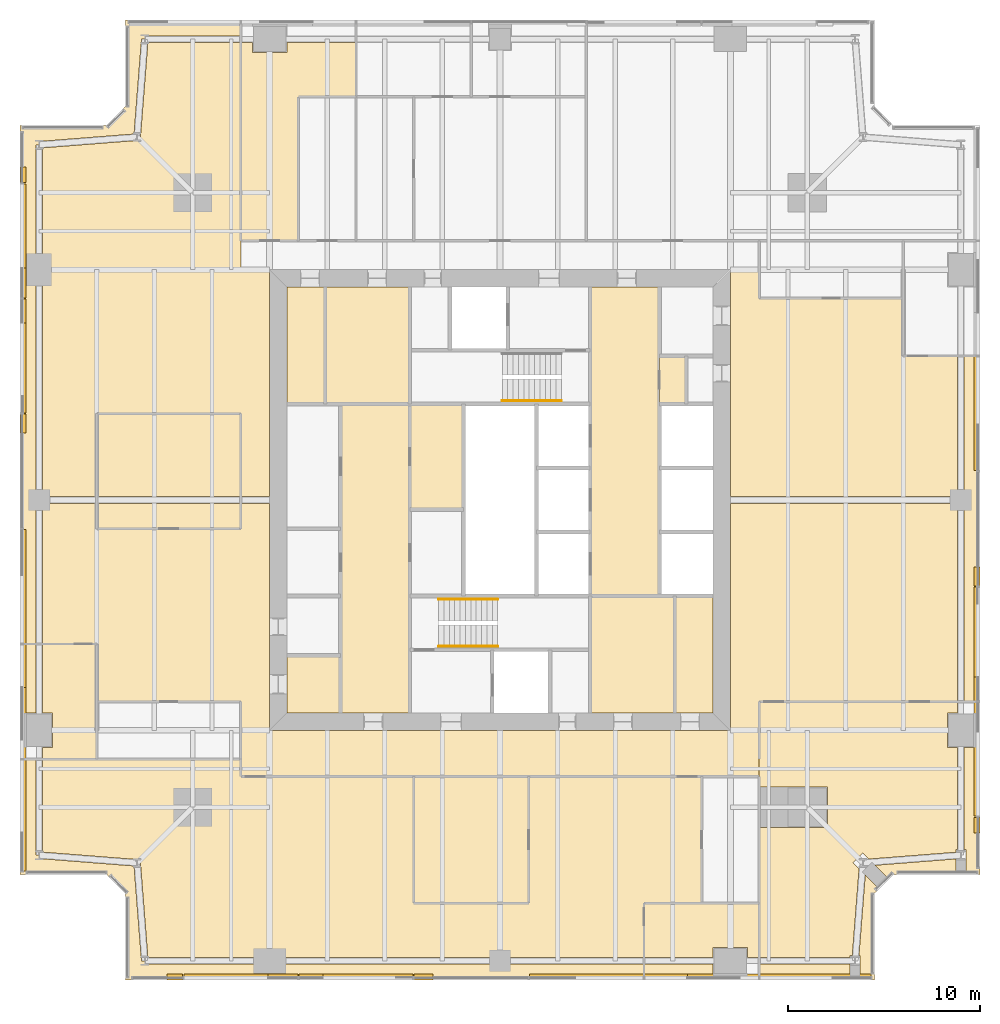
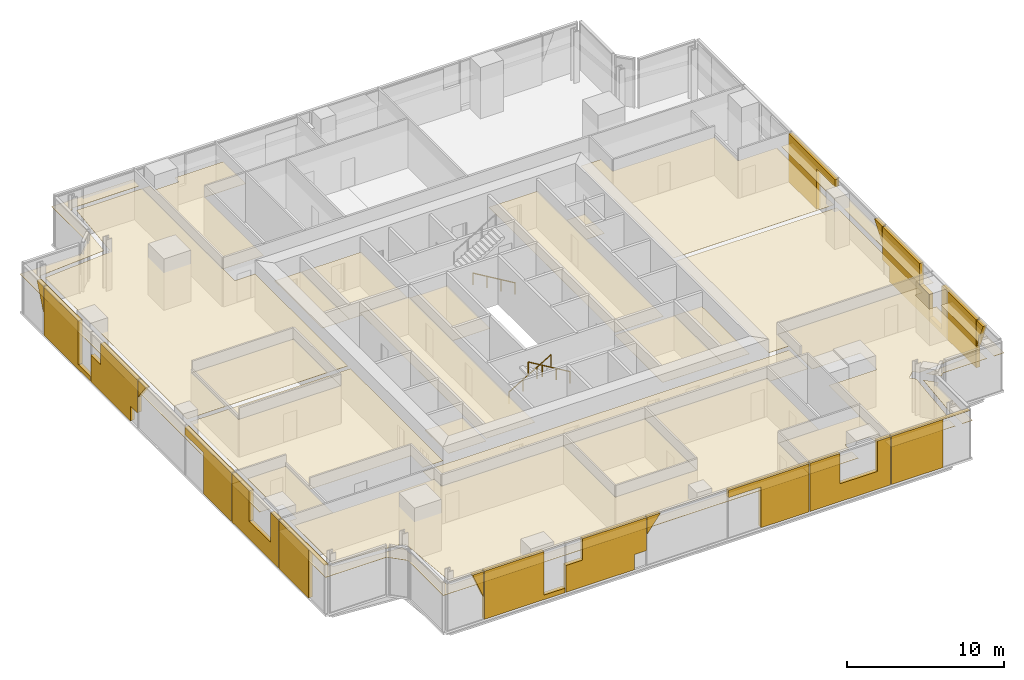
# One storey, part 13 of 14: 50 coverings, 3 railings.
"""IFC4 building model written with IfcOpenShell, lengths in metres."""

from ifc_helpers import new_model, si_unit, direction, frame, origin, origin_2d, place, context, subcontext, project, spatial, polyline, circle, outline, extrude, material, layer, layer_set, type_object, element, save


model = new_model("IFC4")

# Units and contexts
model_context = context("Model", 3, precision=1e-05, world=origin(), true_north=direction((0.0, 1.0)))
body_context = subcontext(model_context, "Body", "Model", "MODEL_VIEW")
ifc_project = project(units=[si_unit("LENGTHUNIT", "METRE"), si_unit("AREAUNIT", "SQUARE_METRE"), si_unit("VOLUMEUNIT", "CUBIC_METRE"), si_unit("PLANEANGLEUNIT", "RADIAN"), si_unit("MASSUNIT", "GRAM", prefix="KILO")], contexts=[model_context])

# Site, building, storey
site_placement = place(None, origin())
site = spatial("IfcSite", under=ifc_project, at=site_placement, CompositionType="ELEMENT")
building_placement = place(site_placement, origin())
building = spatial("IfcBuilding", under=site, at=building_placement, Name="Fenwick Lantern Interchange", CompositionType="ELEMENT")
storey_placement = place(building_placement, frame((0.0, 0.0, 205.800048828125)))
storey = spatial("IfcBuildingStorey", under=building, at=storey_placement, Name="L48", CompositionType="ELEMENT", Elevation=205.800048828125)

# Coverings
ifc_material_1 = material(Name="Mineral fibre acoustic tile on suspended grid")
ifc_layer_1 = layer(ifc_material_1, 0.02001953125)
ifc_layer_set_1 = layer_set([ifc_layer_1], Name="ACOUSTIC TILE CEILING 20")
covering_type_1 = type_object("IfcCoveringType", Name="ACOUSTIC TILE CEILING 20", PredefinedType="CEILING", material=ifc_layer_set_1)
covering_1_placement = place(storey_placement, frame((0.0, 0.0, 2.699951171875)))
element("IfcCovering", 1, at=covering_1_placement, inside=storey, type_object=covering_type_1, Name="Mail room ceiling", PredefinedType="CEILING", context=body_context, shape_type="SweptSolid", body=[
    extrude(outline(polyline([(20.300048828125, 24.5), (23.10009765625, 24.5), (23.10009765625, 30.0), (20.300048828125, 30.0), (20.300048828125, 24.5)])), origin(), (0.0, 0.0, 1.0), 0.02001953125),
])
covering_2_placement = place(storey_placement, frame((0.0, 0.0, 2.699951171875)))
element("IfcCovering", 2, at=covering_2_placement, inside=storey, type_object=covering_type_1, Name="Mail room ceiling", PredefinedType="CEILING", context=body_context, shape_type="SweptSolid", body=[
    extrude(outline(polyline([(34.699951171875, 32.5), (33.300048828125, 32.5), (33.300048828125, 30.0), (34.699951171875, 30.0), (34.699951171875, 32.5)])), origin(), (0.0, 0.0, 1.0), 0.02001953125),
])
covering_3_placement = place(storey_placement, frame((0.0, 0.0, 2.89990234375)))
element("IfcCovering", 3, at=covering_3_placement, inside=storey, type_object=covering_type_1, Name="Open office ceiling", PredefinedType="CEILING", context=body_context, shape_type="SweptSolid", body=[
    extrude(outline(polyline([(26.5, 10.60009765625), (26.5, 4.0), (20.5, 4.0), (20.5, 10.60009765625), (11.5, 10.60009765625), (11.5, 11.5), (1.17236328125, 11.5), (1.17236328125, 6.659423828125), (6.113525390625, 6.27197265625), (6.10009765625, 6.10009765625), (6.27197265625, 6.113525390625), (6.659423828125, 1.17236328125), (13.0, 1.17236328125), (25.0, 1.17236328125), (32.5, 1.17236328125), (32.5, 4.0), (35.5, 4.0), (35.5, 10.60009765625), (26.5, 10.60009765625)])), origin(), (0.0, 0.0, 1.0), 0.02001953125),
])
covering_4_placement = place(storey_placement, frame((0.0, 0.0, 2.89990234375)))
element("IfcCovering", 4, at=covering_4_placement, inside=storey, type_object=covering_type_1, Name="Open office ceiling", PredefinedType="CEILING", context=body_context, shape_type="SweptSolid", body=[
    extrude(outline(polyline([(32.5, 0.0), (32.5, 0.82763671875), (25.0, 0.82763671875), (13.0, 0.82763671875), (6.5, 0.82763671875), (6.5, 1.0), (6.328125, 0.986572265625), (5.939697265625, 5.939697265625), (0.986572265625, 6.328125), (1.0, 6.5), (0.82763671875, 6.5), (0.82763671875, 11.5), (0.0, 11.5), (0.0, 5.5), (4.5, 5.5), (5.5, 4.5), (5.5, 0.0), (32.5, 0.0)])), origin(), (0.0, 0.0, 1.0), 0.02001953125),
])
covering_5_placement = place(storey_placement, frame((0.0, 0.0, 2.89990234375)))
element("IfcCovering", 5, at=covering_5_placement, inside=storey, type_object=covering_type_1, Name="Meeting room ceiling", PredefinedType="CEILING", context=body_context, shape_type="SweptSolid", body=[
    extrude(outline(polyline([(20.5, 4.0), (26.5, 4.0), (26.5, 10.60009765625), (20.5, 10.60009765625), (20.5, 4.0)])), origin(), (0.0, 0.0, 1.0), 0.02001953125),
])
covering_6_placement = place(storey_placement, frame((0.0, 0.0, 2.89990234375)))
element("IfcCovering", 6, at=covering_6_placement, inside=storey, type_object=covering_type_1, Name="Office ceiling", PredefinedType="CEILING", context=body_context, shape_type="SweptSolid", body=[
    extrude(outline(polyline([(32.5, 4.0), (32.5, 1.17236328125), (36.10009765625, 1.17236328125), (36.10009765625, 1.699951171875), (37.89990234375, 1.699951171875), (37.89990234375, 1.17236328125), (38.5, 1.17236328125), (38.5, 4.0), (32.5, 4.0)])), origin(), (0.0, 0.0, 1.0), 0.02001953125),
])
covering_7_placement = place(storey_placement, frame((0.0, 0.0, 2.89990234375)))
element("IfcCovering", 7, at=covering_7_placement, inside=storey, type_object=covering_type_1, Name="Office ceiling", PredefinedType="CEILING", context=body_context, shape_type="SweptSolid", body=[
    extrude(outline(polyline([(32.5, 0.82763671875), (32.5, 0.0), (36.10009765625, 0.0), (36.10009765625, 0.82763671875), (32.5, 0.82763671875)])), origin(), (0.0, 0.0, 1.0), 0.02001953125),
])
covering_8_placement = place(storey_placement, frame((0.0, 0.0, 2.89990234375)))
element("IfcCovering", 8, at=covering_8_placement, inside=storey, type_object=covering_type_1, Name="Open office ceiling", PredefinedType="CEILING", context=body_context, shape_type="SweptSolid", body=[
    extrude(outline(polyline([(38.5, 14.5), (48.82763671875, 14.5), (48.82763671875, 24.824951171875), (37.0, 24.824951171875), (37.0, 13.0), (38.5, 13.0), (38.5, 14.5)])), origin(), (0.0, 0.0, 1.0), 0.02001953125),
])
covering_9_placement = place(storey_placement, frame((0.0, 0.0, 2.89990234375)))
element("IfcCovering", 9, at=covering_9_placement, inside=storey, type_object=covering_type_1, Name="Open office ceiling", PredefinedType="CEILING", context=body_context, shape_type="SweptSolid", body=[
    extrude(outline(polyline([(46.0, 32.5), (46.0, 35.5), (38.5, 35.5), (38.5, 37.0), (37.0, 37.0), (37.0, 25.175048828125), (48.82763671875, 25.175048828125), (48.82763671875, 32.5), (46.0, 32.5)])), origin(), (0.0, 0.0, 1.0), 0.02001953125),
])
covering_10_placement = place(storey_placement, frame((0.0, 0.0, 2.89990234375)))
element("IfcCovering", 10, at=covering_10_placement, inside=storey, type_object=covering_type_1, Name="Open office ceiling", PredefinedType="CEILING", context=body_context, shape_type="SweptSolid", body=[
    extrude(outline(polyline([(50.0, 32.5), (49.17236328125, 32.5), (49.17236328125, 25.0), (49.17236328125, 14.5), (50.0, 14.5), (50.0, 32.5)])), origin(), (0.0, 0.0, 1.0), 0.02001953125),
])
covering_11_placement = place(storey_placement, frame((0.0, 0.0, 2.89990234375)))
element("IfcCovering", 11, at=covering_11_placement, inside=storey, type_object=covering_type_1, Name="Office lounge ceiling", PredefinedType="CEILING", context=body_context, shape_type="SweptSolid", body=[
    extrude(outline(polyline([(43.23779296875, 1.28759765625), (43.349609375, 1.28759765625), (43.701904296875, 5.77783203125), (43.379638671875, 6.10009765625), (43.89990234375, 6.620361328125), (44.22216796875, 6.298095703125), (48.73779296875, 6.65234375), (48.73779296875, 6.78759765625), (48.82763671875, 6.78759765625), (48.82763671875, 12.10009765625), (48.300048828125, 12.10009765625), (48.300048828125, 13.89990234375), (48.82763671875, 13.89990234375), (48.82763671875, 14.5), (38.5, 14.5), (38.5, 10.050048828125), (42.050048828125, 10.050048828125), (42.050048828125, 7.949951171875), (38.5, 7.949951171875), (38.5, 1.17236328125), (43.23779296875, 1.17236328125), (43.23779296875, 1.28759765625)])), origin(), (0.0, 0.0, 1.0), 0.02001953125),
])
covering_12_placement = place(storey_placement, frame((0.0, 0.0, 2.89990234375)))
element("IfcCovering", 12, at=covering_12_placement, inside=storey, type_object=covering_type_1, Name="Office lounge ceiling", PredefinedType="CEILING", context=body_context, shape_type="SweptSolid", body=[
    extrude(outline(polyline([(50.0, 12.10009765625), (49.17236328125, 12.10009765625), (49.17236328125, 6.78759765625), (49.26220703125, 6.78759765625), (49.26220703125, 5.5), (50.0, 5.5), (50.0, 12.10009765625)])), origin(), (0.0, 0.0, 1.0), 0.02001953125),
])
covering_13_placement = place(storey_placement, frame((0.0, 0.0, 2.89990234375)))
element("IfcCovering", 13, at=covering_13_placement, inside=storey, type_object=covering_type_1, Name="Office lounge ceiling", PredefinedType="CEILING", context=body_context, shape_type="SweptSolid", body=[
    extrude(outline(polyline([(43.23779296875, 0.0), (43.23779296875, 0.82763671875), (38.5, 0.82763671875), (38.5, 0.0), (43.23779296875, 0.0)])), origin(), (0.0, 0.0, 1.0), 0.02001953125),
])
covering_14_placement = place(storey_placement, frame((0.0, 0.0, 2.89990234375)))
element("IfcCovering", 14, at=covering_14_placement, inside=storey, type_object=covering_type_1, Name="Office lounge ceiling", PredefinedType="CEILING", context=body_context, shape_type="SweptSolid", body=[
    extrude(outline(polyline([(43.695556640625, 1.28759765625), (43.76220703125, 1.28759765625), (43.76220703125, 0.0), (44.5, 0.0), (44.5, 4.5), (44.73974609375, 4.73974609375), (44.0224609375, 5.457275390625), (43.695556640625, 1.28759765625)])), origin(), (0.0, 0.0, 1.0), 0.02001953125),
])
covering_15_placement = place(storey_placement, frame((0.0, 0.0, 2.89990234375)))
element("IfcCovering", 15, at=covering_15_placement, inside=storey, type_object=covering_type_1, Name="Office lounge ceiling", PredefinedType="CEILING", context=body_context, shape_type="SweptSolid", body=[
    extrude(outline(polyline([(48.73779296875, 5.5), (48.73779296875, 6.306396484375), (44.542724609375, 5.9775390625), (45.26025390625, 5.26025390625), (45.5, 5.5), (48.73779296875, 5.5)])), origin(), (0.0, 0.0, 1.0), 0.02001953125),
])
covering_16_placement = place(storey_placement, frame((0.0, 0.0, 2.89990234375)))
element("IfcCovering", 16, at=covering_16_placement, inside=storey, type_object=covering_type_1, Name="Meeting room ceiling", PredefinedType="CEILING", context=body_context, shape_type="SweptSolid", body=[
    extrude(outline(polyline([(12.10009765625, 48.300048828125), (12.10009765625, 48.82763671875), (11.5, 48.82763671875), (11.5, 38.5), (14.5, 38.5), (14.5, 46.0), (17.5, 46.0), (17.5, 48.82763671875), (13.89990234375, 48.82763671875), (13.89990234375, 48.300048828125), (12.10009765625, 48.300048828125)])), origin(), (0.0, 0.0, 1.0), 0.02001953125),
])
covering_17_placement = place(storey_placement, frame((0.0, 0.0, 2.89990234375)))
element("IfcCovering", 17, at=covering_17_placement, inside=storey, type_object=covering_type_1, Name="Open office ceiling", PredefinedType="CEILING", context=body_context, shape_type="SweptSolid", body=[
    extrude(outline(polyline([(11.5, 37.0), (11.5, 48.82763671875), (6.659423828125, 48.82763671875), (6.27197265625, 43.886474609375), (6.10009765625, 43.89990234375), (6.113525390625, 43.72802734375), (1.17236328125, 43.340576171875), (1.17236328125, 37.0), (1.17236328125, 25.175048828125), (4.0, 25.175048828125), (4.0, 29.5), (11.5, 29.5), (11.5, 25.175048828125), (13.0, 25.175048828125), (13.0, 37.0), (11.5, 37.0)])), origin(), (0.0, 0.0, 1.0), 0.02001953125),
])
covering_18_placement = place(storey_placement, frame((0.0, 0.0, 2.89990234375)))
element("IfcCovering", 18, at=covering_18_placement, inside=storey, type_object=covering_type_1, Name="Open office ceiling", PredefinedType="CEILING", context=body_context, shape_type="SweptSolid", body=[
    extrude(outline(polyline([(4.0, 17.5), (4.0, 14.5), (11.5, 14.5), (11.5, 13.0), (13.0, 13.0), (13.0, 24.824951171875), (11.5, 24.824951171875), (11.5, 23.5), (4.0, 23.5), (4.0, 24.824951171875), (1.17236328125, 24.824951171875), (1.17236328125, 17.5), (4.0, 17.5)])), origin(), (0.0, 0.0, 1.0), 0.02001953125),
])
covering_19_placement = place(storey_placement, frame((0.0, 0.0, 2.89990234375)))
element("IfcCovering", 19, at=covering_19_placement, inside=storey, type_object=covering_type_1, Name="Open office ceiling", PredefinedType="CEILING", context=body_context, shape_type="SweptSolid", body=[
    extrude(outline(polyline([(0.0, 17.5), (0.82763671875, 17.5), (0.82763671875, 25.0), (0.82763671875, 37.0), (0.82763671875, 43.5), (1.0, 43.5), (0.986572265625, 43.671875), (5.939697265625, 44.060302734375), (6.328125, 49.013427734375), (6.5, 49.0), (6.5, 49.17236328125), (11.5, 49.17236328125), (11.5, 50.0), (5.5, 50.0), (5.5, 45.5), (4.5, 44.5), (0.0, 44.5), (0.0, 17.5)])), origin(), (0.0, 0.0, 1.0), 0.02001953125),
])
covering_20_placement = place(storey_placement, frame((0.0, 0.0, 2.89990234375)))
element("IfcCovering", 20, at=covering_20_placement, inside=storey, type_object=covering_type_1, Name="Meeting room ceiling", PredefinedType="CEILING", context=body_context, shape_type="SweptSolid", body=[
    extrude(outline(polyline([(11.5, 29.5), (4.0, 29.5), (4.0, 25.175048828125), (11.5, 25.175048828125), (11.5, 29.5)])), origin(), (0.0, 0.0, 1.0), 0.02001953125),
])
covering_21_placement = place(storey_placement, frame((0.0, 0.0, 2.89990234375)))
element("IfcCovering", 21, at=covering_21_placement, inside=storey, type_object=covering_type_1, Name="Meeting room ceiling", PredefinedType="CEILING", context=body_context, shape_type="SweptSolid", body=[
    extrude(outline(polyline([(11.5, 23.5), (11.5, 24.824951171875), (4.0, 24.824951171875), (4.0, 23.5), (11.5, 23.5)])), origin(), (0.0, 0.0, 1.0), 0.02001953125),
])
covering_22_placement = place(storey_placement, frame((0.0, 0.0, 2.89990234375)))
element("IfcCovering", 22, at=covering_22_placement, inside=storey, type_object=covering_type_1, Name="Office ceiling", PredefinedType="CEILING", context=body_context, shape_type="SweptSolid", body=[
    extrude(outline(polyline([(4.0, 17.5), (1.17236328125, 17.5), (1.17236328125, 13.89990234375), (1.699951171875, 13.89990234375), (1.699951171875, 12.10009765625), (1.17236328125, 12.10009765625), (1.17236328125, 11.5), (4.0, 11.5), (4.0, 17.5)])), origin(), (0.0, 0.0, 1.0), 0.02001953125),
])
covering_23_placement = place(storey_placement, frame((0.0, 0.0, 2.89990234375)))
element("IfcCovering", 23, at=covering_23_placement, inside=storey, type_object=covering_type_1, Name="Office ceiling", PredefinedType="CEILING", context=body_context, shape_type="SweptSolid", body=[
    extrude(outline(polyline([(0.82763671875, 17.5), (0.0, 17.5), (0.0, 13.89990234375), (0.82763671875, 13.89990234375), (0.82763671875, 17.5)])), origin(), (0.0, 0.0, 1.0), 0.02001953125),
])
ifc_material_2 = material(Name="Granite cladding, warm grey flamed finish, on aluminium carrier frame", Category="masonry")
ifc_layer_2 = layer(ifc_material_2, 0.300048828125)
ifc_layer_set_2 = layer_set([ifc_layer_2], Name="BRACE CASING PANEL 300")
covering_type_2 = type_object("IfcCoveringType", Name="BRACE CASING PANEL 300", PredefinedType="CLADDING", material=ifc_layer_set_2)
covering_24_placement = place(storey_placement, frame((5.60009765625, 0.10009765625, 1.7685546875), z_axis=(0.0, 0.0, 1.0), x_axis=(1.0, 0.0, 0.0)))
element("IfcCovering", 24, at=covering_24_placement, inside=storey, type_object=covering_type_2, Name="Brace casing 01 bay 00a", PredefinedType="CLADDING", context=body_context, shape_type="SweptSolid", body=[
    extrude(outline(polyline([(2.867431640625, 0.0), (2.867431640625, 1.9814453125), (2.0625, 1.9814453125), (2.867431640625, 0.0)])), frame((0.0, 0.2001953125, 0.0), z_axis=(0.0, -1.0, 0.0), x_axis=(1.0, 0.0, 0.0)), (0.0, 0.0, 1.0), 0.300048828125),
])
covering_25_placement = place(storey_placement, frame((5.60009765625, 0.10009765625, 0.0), z_axis=(0.0, 0.0, 1.0), x_axis=(1.0, 0.0, 0.0)))
element("IfcCovering", 25, at=covering_25_placement, inside=storey, type_object=covering_type_2, Name="Brace casing 01 bay 01a", PredefinedType="CLADDING", context=body_context, shape_type="SweptSolid", body=[
    extrude(outline(polyline([(2.9326171875, 0.0), (8.867431640625, 0.0), (8.867431640625, 0.35302734375), (7.328125, 0.35302734375), (7.328125, 3.75), (2.9326171875, 3.75), (2.9326171875, 0.0)])), frame((0.0, 0.2001953125, 0.0), z_axis=(0.0, -1.0, 0.0), x_axis=(1.0, 0.0, 0.0)), (0.0, 0.0, 1.0), 0.300048828125),
])
covering_26_placement = place(storey_placement, frame((5.60009765625, 0.10009765625, 0.0), z_axis=(0.0, 0.0, 1.0), x_axis=(1.0, 0.0, 0.0)))
element("IfcCovering", 26, at=covering_26_placement, inside=storey, type_object=covering_type_2, Name="Brace casing 01 bay 02a", PredefinedType="CLADDING", context=body_context, shape_type="SweptSolid", body=[
    extrude(outline(polyline([(8.9326171875, 0.0), (13.984375, 0.0), (13.984375, 1.17333984375), (14.867431640625, 1.17333984375), (14.867431640625, 3.75), (10.172607421875, 3.75), (10.172607421875, 2.090576171875), (8.9326171875, 2.090576171875), (8.9326171875, 0.0)])), frame((0.0, 0.2001953125, 0.0), z_axis=(0.0, -1.0, 0.0), x_axis=(1.0, 0.0, 0.0)), (0.0, 0.0, 1.0), 0.300048828125),
])
covering_27_placement = place(storey_placement, frame((5.60009765625, 0.10009765625, 2.437255859375), z_axis=(0.0, 0.0, 1.0), x_axis=(1.0, 0.0, 0.0)))
element("IfcCovering", 27, at=covering_27_placement, inside=storey, type_object=covering_type_2, Name="Brace casing 01 bay 03a", PredefinedType="CLADDING", context=body_context, shape_type="SweptSolid", body=[
    extrude(outline(polyline([(14.9326171875, 0.0), (15.9169921875, 1.312744140625), (14.9326171875, 1.312744140625), (14.9326171875, 0.0)])), frame((0.0, 0.2001953125, 0.0), z_axis=(0.0, -1.0, 0.0), x_axis=(1.0, 0.0, 0.0)), (0.0, 0.0, 1.0), 0.300048828125),
])
covering_28_placement = place(storey_placement, frame((5.60009765625, 0.10009765625, 0.0), z_axis=(0.0, 0.0, 1.0), x_axis=(1.0, 0.0, 0.0)))
element("IfcCovering", 28, at=covering_28_placement, inside=storey, type_object=covering_type_2, Name="Brace casing 01 bay 04a", PredefinedType="CLADDING", context=body_context, shape_type="SweptSolid", body=[
    extrude(outline(polyline([(23.3125, 0.0), (26.867431640625, 0.0), (26.867431640625, 3.75), (20.9326171875, 3.75), (20.9326171875, 3.17724609375), (23.3125, 3.17724609375), (23.3125, 0.0)])), frame((0.0, 0.2001953125, 0.0), z_axis=(0.0, -1.0, 0.0), x_axis=(1.0, 0.0, 0.0)), (0.0, 0.0, 1.0), 0.300048828125),
])
covering_29_placement = place(storey_placement, frame((5.60009765625, 0.10009765625, 0.0), z_axis=(0.0, 0.0, 1.0), x_axis=(1.0, 0.0, 0.0)))
element("IfcCovering", 29, at=covering_29_placement, inside=storey, type_object=covering_type_2, Name="Brace casing 01 bay 05a", PredefinedType="CLADDING", context=body_context, shape_type="SweptSolid", body=[
    extrude(outline(polyline([(26.9326171875, 0.0), (32.867431640625, 0.0), (32.867431640625, 3.75), (31.89306640625, 3.75), (31.89306640625, 1.389892578125), (29.153076171875, 1.389892578125), (29.153076171875, 3.75), (26.9326171875, 3.75), (26.9326171875, 0.0)])), frame((0.0, 0.2001953125, 0.0), z_axis=(0.0, -1.0, 0.0), x_axis=(1.0, 0.0, 0.0)), (0.0, 0.0, 1.0), 0.300048828125),
])
covering_30_placement = place(storey_placement, frame((5.60009765625, 0.10009765625, 0.0), z_axis=(0.0, 0.0, 1.0), x_axis=(1.0, 0.0, 0.0)))
element("IfcCovering", 30, at=covering_30_placement, inside=storey, type_object=covering_type_2, Name="Brace casing 01 bay 06a", PredefinedType="CLADDING", context=body_context, shape_type="SweptSolid", body=[
    extrude(outline(polyline([(32.9326171875, 0.0), (36.734130859375, 0.0), (36.734130859375, 3.741455078125), (38.735107421875, 3.741455078125), (38.735107421875, 3.75), (32.9326171875, 3.75), (32.9326171875, 0.0)])), frame((0.0, 0.2001953125, 0.0), z_axis=(0.0, -1.0, 0.0), x_axis=(1.0, 0.0, 0.0)), (0.0, 0.0, 1.0), 0.300048828125),
])
covering_31_placement = place(storey_placement, frame((49.89990234375, 5.60009765625, 1.7685546875), z_axis=(0.0, 0.0, 1.0), x_axis=(0.0, 1.0, 0.0)))
element("IfcCovering", 31, at=covering_31_placement, inside=storey, type_object=covering_type_2, Name="Brace casing 05 bay 00a", PredefinedType="CLADDING", context=body_context, shape_type="SweptSolid", body=[
    extrude(outline(polyline([(2.867431640625, 0.0), (2.867431640625, 1.9814453125), (2.0625, 1.9814453125), (2.867431640625, 0.0)])), frame((0.0, 0.2001953125, 0.0), z_axis=(0.0, -1.0, 0.0), x_axis=(1.0, 0.0, 0.0)), (0.0, 0.0, 1.0), 0.300048828125),
])
covering_32_placement = place(storey_placement, frame((49.89990234375, 5.60009765625, 0.0), z_axis=(0.0, 0.0, 1.0), x_axis=(0.0, 1.0, 0.0)))
element("IfcCovering", 32, at=covering_32_placement, inside=storey, type_object=covering_type_2, Name="Brace casing 05 bay 01a", PredefinedType="CLADDING", context=body_context, shape_type="SweptSolid", body=[
    extrude(outline(polyline([(2.9326171875, 0.0), (8.867431640625, 0.0), (8.867431640625, 0.35302734375), (7.328125, 0.35302734375), (7.328125, 3.75), (2.9326171875, 3.75), (2.9326171875, 0.0)])), frame((0.0, 0.2001953125, 0.0), z_axis=(0.0, -1.0, 0.0), x_axis=(1.0, 0.0, 0.0)), (0.0, 0.0, 1.0), 0.300048828125),
])
covering_33_placement = place(storey_placement, frame((49.89990234375, 5.60009765625, 0.0), z_axis=(0.0, 0.0, 1.0), x_axis=(0.0, 1.0, 0.0)))
element("IfcCovering", 33, at=covering_33_placement, inside=storey, type_object=covering_type_2, Name="Brace casing 05 bay 02a", PredefinedType="CLADDING", context=body_context, shape_type="SweptSolid", body=[
    extrude(outline(polyline([(8.9326171875, 0.0), (13.984375, 0.0), (13.984375, 1.17333984375), (14.867431640625, 1.17333984375), (14.867431640625, 3.75), (10.172607421875, 3.75), (10.172607421875, 2.090576171875), (8.9326171875, 2.090576171875), (8.9326171875, 0.0)])), frame((0.0, 0.2001953125, 0.0), z_axis=(0.0, -1.0, 0.0), x_axis=(1.0, 0.0, 0.0)), (0.0, 0.0, 1.0), 0.300048828125),
])
covering_34_placement = place(storey_placement, frame((49.89990234375, 5.60009765625, 2.437255859375), z_axis=(0.0, 0.0, 1.0), x_axis=(0.0, 1.0, 0.0)))
element("IfcCovering", 34, at=covering_34_placement, inside=storey, type_object=covering_type_2, Name="Brace casing 05 bay 03a", PredefinedType="CLADDING", context=body_context, shape_type="SweptSolid", body=[
    extrude(outline(polyline([(14.9326171875, 0.0), (15.9169921875, 1.312744140625), (14.9326171875, 1.312744140625), (14.9326171875, 0.0)])), frame((0.0, 0.2001953125, 0.0), z_axis=(0.0, -1.0, 0.0), x_axis=(1.0, 0.0, 0.0)), (0.0, 0.0, 1.0), 0.300048828125),
])
covering_35_placement = place(storey_placement, frame((49.89990234375, 5.60009765625, 0.0), z_axis=(0.0, 0.0, 1.0), x_axis=(0.0, 1.0, 0.0)))
element("IfcCovering", 35, at=covering_35_placement, inside=storey, type_object=covering_type_2, Name="Brace casing 05 bay 04a", PredefinedType="CLADDING", context=body_context, shape_type="SweptSolid", body=[
    extrude(outline(polyline([(23.3125, 0.0), (26.867431640625, 0.0), (26.867431640625, 3.75), (20.9326171875, 3.75), (20.9326171875, 3.17724609375), (23.3125, 3.17724609375), (23.3125, 0.0)])), frame((0.0, 0.2001953125, 0.0), z_axis=(0.0, -1.0, 0.0), x_axis=(1.0, 0.0, 0.0)), (0.0, 0.0, 1.0), 0.300048828125),
])
covering_36_placement = place(storey_placement, frame((0.10009765625, 44.39990234375, 1.7685546875), z_axis=(0.0, 0.0, 1.0), x_axis=(0.0, -1.0, 0.0)))
element("IfcCovering", 36, at=covering_36_placement, inside=storey, type_object=covering_type_2, Name="Brace casing 13 bay 00a", PredefinedType="CLADDING", context=body_context, shape_type="SweptSolid", body=[
    extrude(outline(polyline([(2.867431640625, 0.0), (2.867431640625, 1.9814453125), (2.0625, 1.9814453125), (2.867431640625, 0.0)])), frame((0.0, 0.2001953125, 0.0), z_axis=(0.0, -1.0, 0.0), x_axis=(1.0, 0.0, 0.0)), (0.0, 0.0, 1.0), 0.300048828125),
])
covering_37_placement = place(storey_placement, frame((0.10009765625, 44.39990234375, 0.0), z_axis=(0.0, 0.0, 1.0), x_axis=(0.0, -1.0, 0.0)))
element("IfcCovering", 37, at=covering_37_placement, inside=storey, type_object=covering_type_2, Name="Brace casing 13 bay 01a", PredefinedType="CLADDING", context=body_context, shape_type="SweptSolid", body=[
    extrude(outline(polyline([(2.9326171875, 0.0), (8.867431640625, 0.0), (8.867431640625, 0.35302734375), (7.328125, 0.35302734375), (7.328125, 3.75), (2.9326171875, 3.75), (2.9326171875, 0.0)])), frame((0.0, 0.2001953125, 0.0), z_axis=(0.0, -1.0, 0.0), x_axis=(1.0, 0.0, 0.0)), (0.0, 0.0, 1.0), 0.300048828125),
])
covering_38_placement = place(storey_placement, frame((0.10009765625, 44.39990234375, 0.0), z_axis=(0.0, 0.0, 1.0), x_axis=(0.0, -1.0, 0.0)))
element("IfcCovering", 38, at=covering_38_placement, inside=storey, type_object=covering_type_2, Name="Brace casing 13 bay 02a", PredefinedType="CLADDING", context=body_context, shape_type="SweptSolid", body=[
    extrude(outline(polyline([(8.9326171875, 0.0), (13.984375, 0.0), (13.984375, 1.17333984375), (14.867431640625, 1.17333984375), (14.867431640625, 3.75), (10.172607421875, 3.75), (10.172607421875, 2.090576171875), (8.9326171875, 2.090576171875), (8.9326171875, 0.0)])), frame((0.0, 0.2001953125, 0.0), z_axis=(0.0, -1.0, 0.0), x_axis=(1.0, 0.0, 0.0)), (0.0, 0.0, 1.0), 0.300048828125),
])
covering_39_placement = place(storey_placement, frame((0.10009765625, 44.39990234375, 2.437255859375), z_axis=(0.0, 0.0, 1.0), x_axis=(0.0, -1.0, 0.0)))
element("IfcCovering", 39, at=covering_39_placement, inside=storey, type_object=covering_type_2, Name="Brace casing 13 bay 03a", PredefinedType="CLADDING", context=body_context, shape_type="SweptSolid", body=[
    extrude(outline(polyline([(14.9326171875, 0.0), (15.9169921875, 1.312744140625), (14.9326171875, 1.312744140625), (14.9326171875, 0.0)])), frame((0.0, 0.2001953125, 0.0), z_axis=(0.0, -1.0, 0.0), x_axis=(1.0, 0.0, 0.0)), (0.0, 0.0, 1.0), 0.300048828125),
])
covering_40_placement = place(storey_placement, frame((0.10009765625, 44.39990234375, 0.0), z_axis=(0.0, 0.0, 1.0), x_axis=(0.0, -1.0, 0.0)))
element("IfcCovering", 40, at=covering_40_placement, inside=storey, type_object=covering_type_2, Name="Brace casing 13 bay 04a", PredefinedType="CLADDING", context=body_context, shape_type="SweptSolid", body=[
    extrude(outline(polyline([(23.3125, 0.0), (26.867431640625, 0.0), (26.867431640625, 3.75), (20.9326171875, 3.75), (20.9326171875, 3.17724609375), (23.3125, 3.17724609375), (23.3125, 0.0)])), frame((0.0, 0.2001953125, 0.0), z_axis=(0.0, -1.0, 0.0), x_axis=(1.0, 0.0, 0.0)), (0.0, 0.0, 1.0), 0.300048828125),
])
covering_41_placement = place(storey_placement, frame((0.10009765625, 44.39990234375, 0.0), z_axis=(0.0, 0.0, 1.0), x_axis=(0.0, -1.0, 0.0)))
element("IfcCovering", 41, at=covering_41_placement, inside=storey, type_object=covering_type_2, Name="Brace casing 13 bay 05a", PredefinedType="CLADDING", context=body_context, shape_type="SweptSolid", body=[
    extrude(outline(polyline([(26.9326171875, 0.0), (32.867431640625, 0.0), (32.867431640625, 3.75), (31.89306640625, 3.75), (31.89306640625, 1.389892578125), (29.153076171875, 1.389892578125), (29.153076171875, 3.75), (26.9326171875, 3.75), (26.9326171875, 0.0)])), frame((0.0, 0.2001953125, 0.0), z_axis=(0.0, -1.0, 0.0), x_axis=(1.0, 0.0, 0.0)), (0.0, 0.0, 1.0), 0.300048828125),
])
covering_42_placement = place(storey_placement, frame((0.10009765625, 44.39990234375, 0.0), z_axis=(0.0, 0.0, 1.0), x_axis=(0.0, -1.0, 0.0)))
element("IfcCovering", 42, at=covering_42_placement, inside=storey, type_object=covering_type_2, Name="Brace casing 13 bay 06a", PredefinedType="CLADDING", context=body_context, shape_type="SweptSolid", body=[
    extrude(outline(polyline([(32.9326171875, 0.0), (36.734130859375, 0.0), (36.734130859375, 3.741455078125), (38.735107421875, 3.741455078125), (38.735107421875, 3.75), (32.9326171875, 3.75), (32.9326171875, 0.0)])), frame((0.0, 0.2001953125, 0.0), z_axis=(0.0, -1.0, 0.0), x_axis=(1.0, 0.0, 0.0)), (0.0, 0.0, 1.0), 0.300048828125),
])

# Railings
ifc_material_3 = material(Name="Stainless steel handrail", Category="steel")
railing_type = type_object("IfcRailingType", Name="HANDRAIL 900", PredefinedType="HANDRAIL", material=ifc_material_3)
railing_placement = place(storey_placement, frame((21.800048828125, 19.825927734375, 0.16650390625)))
element("IfcRailing", 43, at=railing_placement, inside=storey, type_object=railing_type, Name="L48/STAIR/ST1/HR1", PredefinedType="HANDRAIL", context=body_context, shape_type="SweptSolid", body=[
    extrude(circle(Radius=0.02392578125, at=origin_2d()), frame((0.0, 0.0, 0.8759765625), z_axis=(0.859260807169, 0.0, 0.511537745687), x_axis=(0.0, 1.0, 0.0)), (0.0, 0.0, 1.0), 3.584228515625),
    extrude(circle(Radius=0.02099609375, at=origin_2d()), origin(), (0.0, 0.0, 1.0), 0.851806640625),
    extrude(circle(Radius=0.02099609375, at=origin_2d()), frame((1.026611328125, 0.0, 0.611083984375)), (0.0, 0.0, 1.0), 0.851806640625),
    extrude(circle(Radius=0.02099609375, at=origin_2d()), frame((2.05322265625, 0.0, 1.222412109375)), (0.0, 0.0, 1.0), 0.851806640625),
    extrude(circle(Radius=0.02099609375, at=origin_2d()), frame((3.079833984375, 0.0, 1.83349609375)), (0.0, 0.0, 1.0), 0.851806640625),
])
for number, where, name in (
    (44, (24.8798828125, 17.3740234375, 2.16650390625), "L48/STAIR/ST1/HR2"),
    (45, (28.199951171875, 30.174072265625, 0.16650390625), "L48/STAIR/ST2/HR1"),
):
    element("IfcRailing", number, at=place(storey_placement, frame(where)), inside=storey, type_object=railing_type, Name=name, PredefinedType="HANDRAIL", context=body_context, shape_type="SweptSolid", body=[
        extrude(circle(Radius=0.02392578125, at=origin_2d()), frame((0.0, 0.0, 0.8759765625), z_axis=(-0.859260807169, 0.0, 0.511537745687), x_axis=(0.0, -1.0, 0.0)), (0.0, 0.0, 1.0), 3.584228515625),
        extrude(circle(Radius=0.02099609375, at=origin_2d()), origin(), (0.0, 0.0, 1.0), 0.851806640625),
        extrude(circle(Radius=0.02099609375, at=origin_2d()), frame((-1.026611328125, 0.0, 0.611083984375)), (0.0, 0.0, 1.0), 0.851806640625),
        extrude(circle(Radius=0.02099609375, at=origin_2d()), frame((-2.05322265625, 0.0, 1.222412109375)), (0.0, 0.0, 1.0), 0.851806640625),
        extrude(circle(Radius=0.02099609375, at=origin_2d()), frame((-3.079833984375, 0.0, 1.83349609375)), (0.0, 0.0, 1.0), 0.851806640625),
    ])

# Coverings
ifc_material_4 = material(Name="Moisture resistant gypsum board on suspended frame, painted")
ifc_layer_3 = layer(ifc_material_4, 0.014892578125)
ifc_layer_set_3 = layer_set([ifc_layer_3], Name="MOISTURE RESISTANT CEILING 15")
covering_type_3 = type_object("IfcCoveringType", Name="MOISTURE RESISTANT CEILING 15", PredefinedType="CEILING", material=ifc_layer_set_3)
covering_43_placement = place(storey_placement, frame((0.0, 0.0, 2.599853515625)))
element("IfcCovering", 46, at=covering_43_placement, inside=storey, type_object=covering_type_3, Name="Women's WC ceiling", PredefinedType="CEILING", context=body_context, shape_type="SweptSolid", body=[
    extrude(outline(polyline([(29.699951171875, 13.89990234375), (34.10009765625, 13.89990234375), (34.10009765625, 20.0), (29.699951171875, 20.0), (29.699951171875, 13.89990234375)])), origin(), (0.0, 0.0, 1.0), 0.01513671875),
])
covering_44_placement = place(storey_placement, frame((0.0, 0.0, 2.599853515625)))
element("IfcCovering", 47, at=covering_44_placement, inside=storey, type_object=covering_type_3, Name="Men's WC ceiling", PredefinedType="CEILING", context=body_context, shape_type="SweptSolid", body=[
    extrude(outline(polyline([(34.10009765625, 13.89990234375), (36.10009765625, 13.89990234375), (36.10009765625, 20.0), (34.10009765625, 20.0), (34.10009765625, 13.89990234375)])), origin(), (0.0, 0.0, 1.0), 0.01513671875),
])
covering_45_placement = place(storey_placement, frame((0.0, 0.0, 2.599853515625)))
element("IfcCovering", 48, at=covering_45_placement, inside=storey, type_object=covering_type_3, Name="Accessible WC ceiling", PredefinedType="CEILING", context=body_context, shape_type="SweptSolid", body=[
    extrude(outline(polyline([(13.89990234375, 13.89990234375), (16.699951171875, 13.89990234375), (16.699951171875, 16.89990234375), (13.89990234375, 16.89990234375), (13.89990234375, 13.89990234375)])), origin(), (0.0, 0.0, 1.0), 0.01513671875),
])
covering_46_placement = place(storey_placement, frame((0.0, 0.0, 2.599853515625)))
element("IfcCovering", 49, at=covering_46_placement, inside=storey, type_object=covering_type_3, Name="Women's WC ceiling", PredefinedType="CEILING", context=body_context, shape_type="SweptSolid", body=[
    extrude(outline(polyline([(20.300048828125, 36.10009765625), (15.89990234375, 36.10009765625), (15.89990234375, 30.0), (20.300048828125, 30.0), (20.300048828125, 36.10009765625)])), origin(), (0.0, 0.0, 1.0), 0.01513671875),
])
covering_47_placement = place(storey_placement, frame((0.0, 0.0, 2.599853515625)))
element("IfcCovering", 50, at=covering_47_placement, inside=storey, type_object=covering_type_3, Name="Men's WC ceiling", PredefinedType="CEILING", context=body_context, shape_type="SweptSolid", body=[
    extrude(outline(polyline([(15.89990234375, 36.10009765625), (13.89990234375, 36.10009765625), (13.89990234375, 30.0), (15.89990234375, 30.0), (15.89990234375, 36.10009765625)])), origin(), (0.0, 0.0, 1.0), 0.01513671875),
])
ifc_material_5 = material(Name="Gypsum plasterboard on suspended frame, painted")
ifc_layer_4 = layer(ifc_material_5, 0.014892578125)
ifc_layer_set_4 = layer_set([ifc_layer_4], Name="PLASTERBOARD CEILING 15")
covering_type_4 = type_object("IfcCoveringType", Name="PLASTERBOARD CEILING 15", PredefinedType="CEILING", material=ifc_layer_set_4)
covering_48_placement = place(storey_placement, frame((0.0, 0.0, 2.800048828125)))
element("IfcCovering", 51, at=covering_48_placement, inside=storey, type_object=covering_type_4, Name="Lift lobby ceiling", PredefinedType="CEILING", context=body_context, shape_type="SweptSolid", body=[
    extrude(outline(polyline([(16.699951171875, 13.89990234375), (20.300048828125, 13.89990234375), (20.300048828125, 30.0), (16.699951171875, 30.0), (16.699951171875, 13.89990234375)])), origin(), (0.0, 0.0, 1.0), 0.014892578125),
])
covering_49_placement = place(storey_placement, frame((0.0, 0.0, 2.800048828125)))
element("IfcCovering", 52, at=covering_49_placement, inside=storey, type_object=covering_type_4, Name="Lift lobby ceiling", PredefinedType="CEILING", context=body_context, shape_type="SweptSolid", body=[
    extrude(outline(polyline([(33.300048828125, 36.10009765625), (29.699951171875, 36.10009765625), (29.699951171875, 20.0), (33.300048828125, 20.0), (33.300048828125, 36.10009765625)])), origin(), (0.0, 0.0, 1.0), 0.014892578125),
])
covering_50_placement = place(storey_placement, frame((0.0, 0.0, 2.599853515625)))
element("IfcCovering", 53, at=covering_50_placement, inside=storey, type_object=covering_type_4, Name="Corridor ceiling", PredefinedType="CEILING", context=body_context, shape_type="SweptSolid", body=[
    extrude(outline(polyline([(11.5, 10.60009765625), (38.5, 10.60009765625), (38.5, 13.0), (11.5, 13.0), (11.5, 10.60009765625)])), origin(), (0.0, 0.0, 1.0), 0.01513671875),
])

save(model, "model.ifc")
